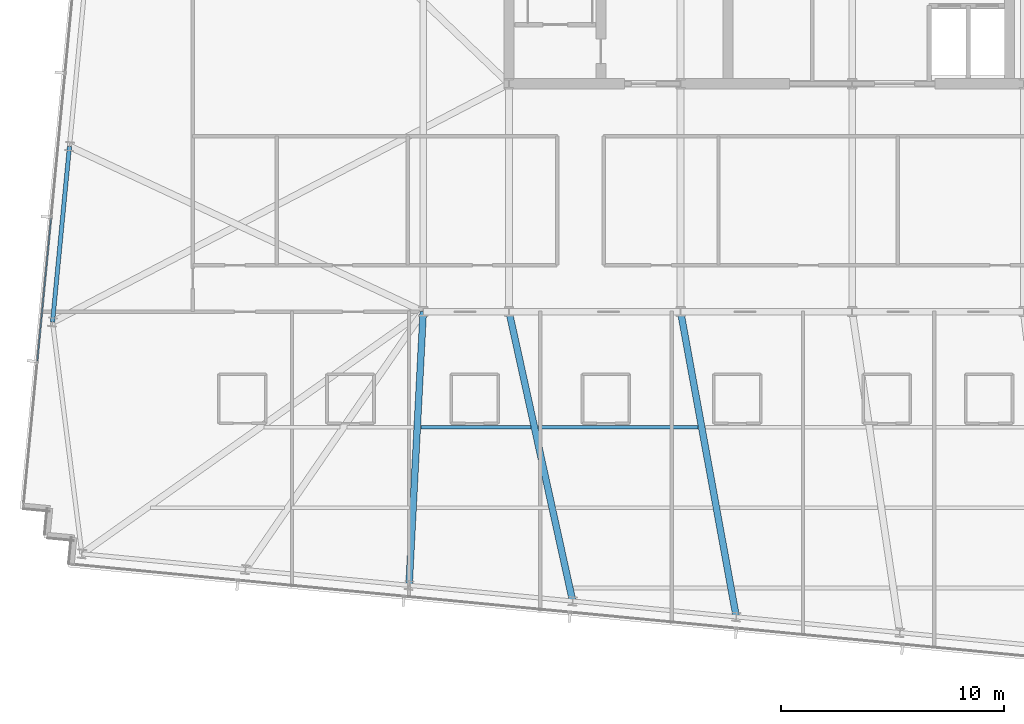
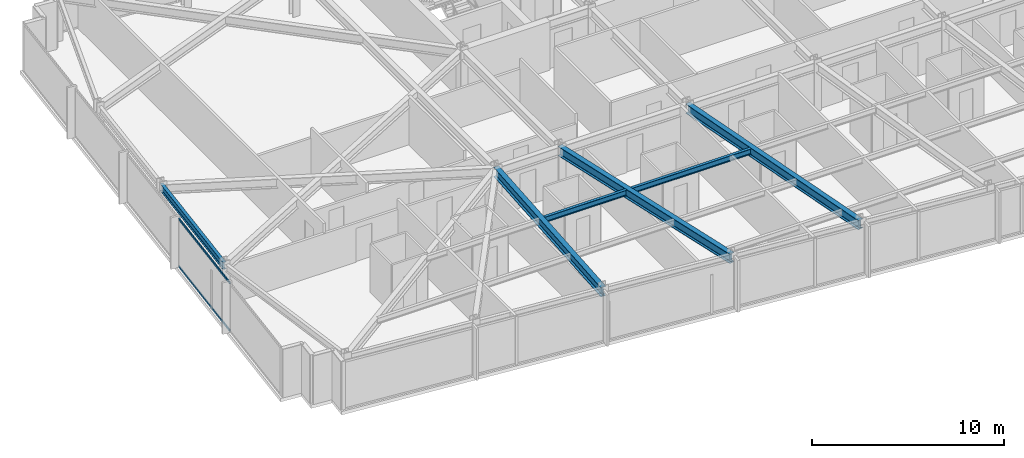
# One storey, part 7 of 37: 6 beams, 2 members, 1 element without a shape of its own.
"""IFC4 building model written with IfcOpenShell, lengths in metres."""

from ifc_helpers import new_model, si_unit, direction, frame, origin, origin_2d, place, context, subcontext, project, spatial, hollow_rectangle, i_section, extrude, material, material_profile, profile_set, type_object, element, aggregate, save


model = new_model("IFC4")

# Units and contexts
model_context = context("Model", 3, precision=1e-05, world=origin(), true_north=direction((0.0, 1.0)))
body_context = subcontext(model_context, "Body", "Model", "MODEL_VIEW")
ifc_project = project(units=[si_unit("LENGTHUNIT", "METRE"), si_unit("AREAUNIT", "SQUARE_METRE"), si_unit("VOLUMEUNIT", "CUBIC_METRE"), si_unit("PLANEANGLEUNIT", "RADIAN"), si_unit("MASSUNIT", "GRAM", prefix="KILO")], contexts=[model_context])

# Site, building, storey
site_placement = place(None, origin())
site = spatial("IfcSite", under=ifc_project, at=site_placement, CompositionType="ELEMENT")
building_placement = place(site_placement, origin())
building = spatial("IfcBuilding", under=site, at=building_placement, Name="Yelkora Congress Tower", CompositionType="ELEMENT")
storey_placement = place(building_placement, frame((0.0, 0.0, 158.89990234375)))
storey = spatial("IfcBuildingStorey", under=building, at=storey_placement, Name="L43", CompositionType="ELEMENT", Elevation=158.89990234375)

# Beams
ifc_material_1 = material(Name="Steel S355J2", Category="steel")
ifc_material_profile_1 = material_profile(ifc_material_1, i_section(OverallWidth=0.300048828125, OverallDepth=0.60009765625, WebThickness=0.015380859375, FlangeThickness=0.030029296875, FilletRadius=0.027099609375, at=origin_2d()), Name="HEB 600")
ifc_profile_set_1 = profile_set([ifc_material_profile_1], Name="Steel S355J2")
beam_type_1 = type_object("IfcBeamType", Name="BM-GIRD-HEB600", PredefinedType="BEAM", material=ifc_profile_set_1)
beam_1_placement = place(storey_placement, frame((18.56591796875, 12.947021484375, 2.780029296875), z_axis=(0.051676299428, 0.99866388744, 0.0), x_axis=(-0.99866388744, 0.051676299428, 0.0)))
element("IfcBeam", 1, at=beam_1_placement, inside=storey, type_object=beam_type_1, Name="L43 Primary Frame Girder S03", PredefinedType="BEAM", context=body_context, shape_type="SweptSolid", body=[
    extrude(i_section(OverallWidth=0.300048828125, OverallDepth=0.60009765625, WebThickness=0.015380859375, FlangeThickness=0.030029296875, FilletRadius=0.027099609375, at=origin_2d()), origin(), (0.0, 0.0, 1.0), 12.269287109375),
])
beam_2_placement = place(storey_placement, frame((25.888916015625, 12.24169921875, 2.780029296875), z_axis=(-0.214722420774, 0.976675115899, 0.0), x_axis=(-0.976675115899, -0.214722420774, 0.0)))
element("IfcBeam", 2, at=beam_2_placement, inside=storey, type_object=beam_type_1, Name="L43 Primary Frame Girder S04", PredefinedType="BEAM", context=body_context, shape_type="SweptSolid", body=[
    extrude(i_section(OverallWidth=0.300048828125, OverallDepth=0.60009765625, WebThickness=0.015380859375, FlangeThickness=0.030029296875, FilletRadius=0.027099609375, at=origin_2d()), origin(), (0.0, 0.0, 1.0), 13.267822265625),
])
beam_3_placement = place(storey_placement, frame((33.21240234375, 11.53662109375, 2.780029296875), z_axis=(-0.179456208566, 0.983765962619, 0.0), x_axis=(-0.983765962619, -0.179456208566, 0.0)))
element("IfcBeam", 3, at=beam_3_placement, inside=storey, type_object=beam_type_1, Name="L43 Primary Frame Girder S05", PredefinedType="BEAM", context=body_context, shape_type="SweptSolid", body=[
    extrude(i_section(OverallWidth=0.300048828125, OverallDepth=0.60009765625, WebThickness=0.015380859375, FlangeThickness=0.030029296875, FilletRadius=0.027099609375, at=origin_2d()), origin(), (0.0, 0.0, 1.0), 13.888916015625),
])
ifc_material_profile_2 = material_profile(ifc_material_1, i_section(OverallWidth=0.169921875, OverallDepth=0.360107421875, WebThickness=0.008056640625, FlangeThickness=0.0126953125, FilletRadius=0.01806640625, at=origin_2d()), Name="IPE 360")
ifc_profile_set_2 = profile_set([ifc_material_profile_2], Name="Steel S355J2")
beam_type_2 = type_object("IfcBeamType", Name="BM-JOIST-IPE360", PredefinedType="JOIST", material=ifc_profile_set_2)
beam_4_placement = place(storey_placement, frame((19.092041015625, 20.021240234375, 2.900146484375), z_axis=(1.0, 0.0, 0.0), x_axis=(0.0, 1.0, 0.0)))
element("IfcBeam", 4, at=beam_4_placement, inside=storey, type_object=beam_type_2, Name="L43 Composite Floor Joist 14", PredefinedType="JOIST", context=body_context, shape_type="SweptSolid", body=[
    extrude(i_section(OverallWidth=0.169921875, OverallDepth=0.360107421875, WebThickness=0.008056640625, FlangeThickness=0.0126953125, FilletRadius=0.01806640625, at=origin_2d()), origin(), (0.0, 0.0, 1.0), 4.926513671875),
])
beam_5_placement = place(storey_placement, frame((24.338623046875, 20.021240234375, 2.900146484375), z_axis=(1.0, 0.0, 0.0), x_axis=(0.0, 1.0, 0.0)))
element("IfcBeam", 5, at=beam_5_placement, inside=storey, type_object=beam_type_2, Name="L43 Composite Floor Joist 15", PredefinedType="JOIST", context=body_context, shape_type="SweptSolid", body=[
    extrude(i_section(OverallWidth=0.169921875, OverallDepth=0.360107421875, WebThickness=0.008056640625, FlangeThickness=0.0126953125, FilletRadius=0.01806640625, at=origin_2d()), origin(), (0.0, 0.0, 1.0), 7.166015625),
])
ifc_material_profile_3 = material_profile(ifc_material_1, i_section(OverallWidth=0.18994140625, OverallDepth=0.449951171875, WebThickness=0.009521484375, FlangeThickness=0.0146484375, FilletRadius=0.02099609375, at=origin_2d()), Name="IPE 450")
ifc_profile_set_3 = profile_set([ifc_material_profile_3], Name="Steel S355J2")
beam_type_3 = type_object("IfcBeamType", Name="BM-SPAN-IPE450", PredefinedType="SPANDREL", material=ifc_profile_set_3)
beam_6_placement = place(storey_placement, frame((3.364501953125, 32.594482421875, 2.85498046875), z_axis=(-0.095831353931, -0.995397584689, 0.0), x_axis=(0.995397584689, -0.095831353931, 0.0)))
element("IfcBeam", 6, at=beam_6_placement, inside=storey, type_object=beam_type_3, Name="L43 Perimeter Beam 18", PredefinedType="SPANDREL", context=body_context, shape_type="SweptSolid", body=[
    extrude(i_section(OverallWidth=0.18994140625, OverallDepth=0.449951171875, WebThickness=0.009521484375, FlangeThickness=0.0146484375, FilletRadius=0.02099609375, at=origin_2d()), origin(), (0.0, 0.0, 1.0), 7.900146484375),
])

# Curtain wall, members
ifc_material_2 = material(Name="Anodised aluminium and insulated glass", Category="aluminium")
curtain_wall_type = type_object("IfcCurtainWallType", Name="CW-SYS-B3", PredefinedType="NOTDEFINED", material=ifc_material_2)
curtain_wall_placement = place(storey_placement, origin())
curtain_wall = element("IfcCurtainWall", 7, at=curtain_wall_placement, inside=storey, type_object=curtain_wall_type, Name="L43 Unitised Curtain Wall 5", PredefinedType="NOTDEFINED")
ifc_material_3 = material(Name="Anodised aluminium 6063-T6", Category="aluminium")
ifc_material_profile_4 = material_profile(ifc_material_3, hollow_rectangle(XDim=0.06005859375, YDim=0.1298828125, WallThickness=0.00390625, at=origin_2d()), Name="ALU 60x130x4")
ifc_profile_set_4 = profile_set([ifc_material_profile_4], Name="Anodised aluminium 6063-T6")
member_type = type_object("IfcMemberType", Name="MEM-TR-B3", PredefinedType="USERDEFINED", material=ifc_profile_set_4)
member_1_placement = place(storey_placement, frame((1.92822265625, 22.996826171875, 0.030029296875), z_axis=(0.095843682057, 0.995396397728, 0.0), x_axis=(-0.995396397728, 0.095843682057, 0.0)))
member_1 = element("IfcMember", 8, at=member_1_placement, type_object=member_type, Name="CW-B3 transom 2.1", ObjectType="TRANSOM", PredefinedType="USERDEFINED", context=body_context, shape_type="SweptSolid", body=[
    extrude(hollow_rectangle(XDim=0.06005859375, YDim=0.1298828125, WallThickness=0.00390625, at=origin_2d()), origin(), (0.0, 0.0, 1.0), 6.4140625),
])
member_2_placement = place(storey_placement, frame((1.92822265625, 22.996826171875, 3.050048828125), z_axis=(0.095843682057, 0.995396397728, 0.0), x_axis=(-0.995396397728, 0.095843682057, 0.0)))
member_2 = element("IfcMember", 9, at=member_2_placement, type_object=member_type, Name="CW-B3 transom 2.2", ObjectType="TRANSOM", PredefinedType="USERDEFINED", context=body_context, shape_type="SweptSolid", body=[
    extrude(hollow_rectangle(XDim=0.06005859375, YDim=0.1298828125, WallThickness=0.00390625, at=origin_2d()), origin(), (0.0, 0.0, 1.0), 6.4140625),
])
aggregate(curtain_wall, [member_1, member_2])

save(model, "model.ifc")
